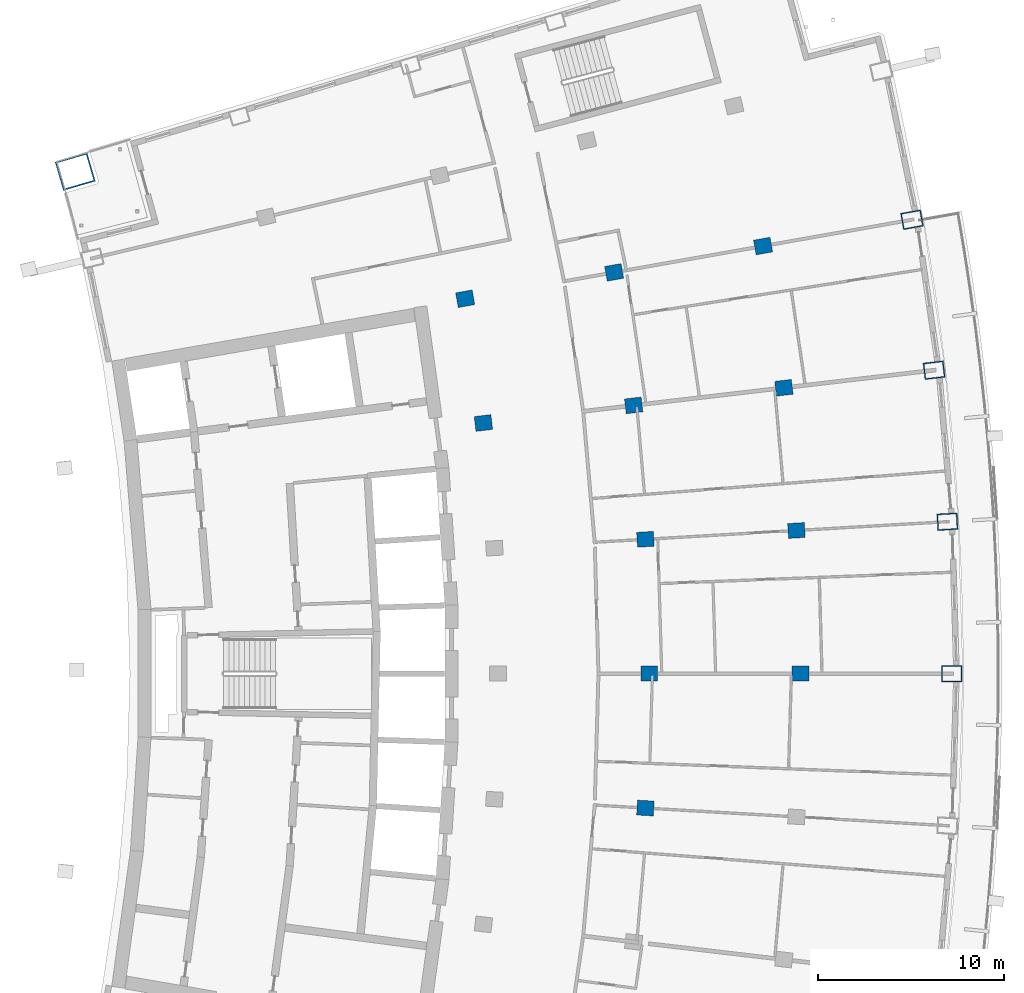
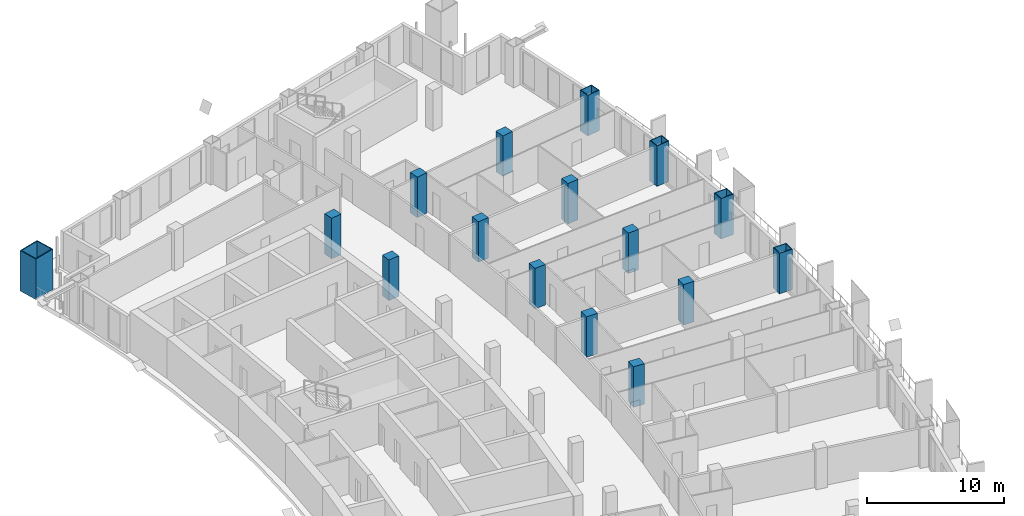
# One storey, part 6 of 21: 16 columns.
"""IFC4 building model written with IfcOpenShell, lengths in metres."""

from ifc_helpers import new_model, si_unit, direction, frame, origin, origin_2d, place, context, subcontext, project, spatial, rectangle, hollow_rectangle, extrude, material, material_profile, profile_set, type_object, element, save


model = new_model("IFC4")

# Units and contexts
model_context = context("Model", 3, precision=1e-05, world=origin(), true_north=direction((0.0, 1.0)))
body_context = subcontext(model_context, "Body", "Model", "MODEL_VIEW")
ifc_project = project(units=[si_unit("LENGTHUNIT", "METRE"), si_unit("AREAUNIT", "SQUARE_METRE"), si_unit("VOLUMEUNIT", "CUBIC_METRE"), si_unit("PLANEANGLEUNIT", "RADIAN"), si_unit("MASSUNIT", "GRAM", prefix="KILO")], contexts=[model_context])

# Site, building, storey
site_placement = place(None, origin())
site = spatial("IfcSite", under=ifc_project, at=site_placement, CompositionType="ELEMENT")
building_placement = place(site_placement, origin())
building = spatial("IfcBuilding", under=site, at=building_placement, Name="Alderwake Tower", CompositionType="ELEMENT")
storey_placement = place(building_placement, frame((0.0, 0.0, 146.0)))
storey = spatial("IfcBuildingStorey", under=building, at=storey_placement, Name="L35", CompositionType="ELEMENT", Elevation=146.0)

# Columns
ifc_material_1 = material(Name="Concrete C70/85", Category="concrete")
ifc_material_profile_1 = material_profile(ifc_material_1, rectangle(XDim=0.800048828125, YDim=0.89990234375, at=origin_2d()), Name="RC 900X800")
ifc_profile_set_1 = profile_set([ifc_material_profile_1], Name="Concrete C70/85")
column_type_1 = type_object("IfcColumnType", Name="Interior column Z3", PredefinedType="COLUMN", material=ifc_profile_set_1)
for number, where, z_axis, x_axis, name in (
    (1, (43.722412109375, 53.774658203125, 0.0), (0.0, 0.0, 1.0), (0.058299318924, 0.998299148258, 0.0), "Column R06-C3"),
    (2, (43.933349609375, 61.0, 0.0), (0.0, 0.0, 1.0), (0.0, 1.0, 0.0), "Column R07-C3"),
    (3, (52.066650390625, 61.0, 0.0), (0.0, 0.0, 1.0), (0.0, 1.0, 0.0), "Column R07-C4"),
    (4, (43.722412109375, 68.225341796875, 0.0), (0.0, 0.0, 1.0), (-0.058299318924, 0.998299148258, 0.0), "Column R08-C3"),
    (5, (51.842041015625, 68.699462890625, 0.0), (0.0, 0.0, 1.0), (-0.058299318924, 0.998299148258, 0.0), "Column R08-C4"),
    (6, (35.0126953125, 74.4794921875, 0.0), (0.0, 0.0, 1.0), (-0.116402054316, 0.993202175668, 0.0), "Column R09-C2"),
    (7, (43.0908203125, 75.426025390625, 0.0), (0.0, 0.0, 1.0), (-0.116402054316, 0.993202175668, 0.0), "Column R09-C3"),
    (8, (51.1689453125, 76.372802734375, 0.0), (0.0, 0.0, 1.0), (-0.116402054316, 0.993202175668, 0.0), "Column R09-C4"),
    (9, (34.03125, 81.16162109375, 0.0), (0.0, 0.0, 1.0), (-0.174108800747, 0.984726421654, 0.0), "Column R10-C2"),
    (10, (42.040283203125, 82.577880859375, 0.0), (0.0, 0.0, 1.0), (-0.174108800747, 0.984726421654, 0.0), "Column R10-C3"),
    (11, (50.049560546875, 83.993896484375, 0.0), (0.0, 0.0, 1.0), (-0.174108800747, 0.984726421654, 0.0), "Column R10-C4"),
):
    element("IfcColumn", number, at=place(storey_placement, frame(where, z_axis=z_axis, x_axis=x_axis)), inside=storey, type_object=column_type_1, Name=name, PredefinedType="COLUMN", context=body_context, shape_type="SweptSolid", body=[
        extrude(rectangle(XDim=0.800048828125, YDim=0.89990234375, at=origin_2d()), origin(), (0.0, 0.0, 1.0), 3.60009765625),
    ])
ifc_material_2 = material(Name="Steel ASTM A572 Grade 50 concrete filled C70/85", Category="concrete")
ifc_material_profile_2 = material_profile(ifc_material_2, hollow_rectangle(XDim=1.60009765625, YDim=1.800048828125, WallThickness=0.080078125, at=origin_2d()), Name="BOX 1800X1600X80")
ifc_profile_set_2 = profile_set([ifc_material_profile_2], Name="Steel ASTM A572 Grade 50 concrete filled C70/85")
column_type_2 = type_object("IfcColumnType", Name="Mega column Z3", PredefinedType="COLUMN", material=ifc_profile_set_2)
column_placement = place(storey_placement, frame((13.06298828125, 87.99755859375, 0.0), z_axis=(0.0, 0.0, 1.0), x_axis=(-0.278612301868, 0.960403657452, 0.0)))
element("IfcColumn", 12, at=column_placement, inside=storey, type_object=column_type_2, Name="Column R12-C0", PredefinedType="COLUMN", context=body_context, shape_type="SweptSolid", body=[
    extrude(hollow_rectangle(XDim=1.60009765625, YDim=1.800048828125, WallThickness=0.080078125, at=origin_2d()), origin(), (0.0, 0.0, 1.0), 3.60009765625),
])
ifc_material_3 = material(Name="Steel ASTM A572 Grade 50 concrete filled C70/85", Category="concrete")
ifc_material_profile_3 = material_profile(ifc_material_3, hollow_rectangle(XDim=0.89990234375, YDim=1.10009765625, WallThickness=0.06005859375, at=origin_2d()), Name="BOX 1100X900X60")
ifc_profile_set_3 = profile_set([ifc_material_profile_3], Name="Steel ASTM A572 Grade 50 concrete filled C70/85")
column_type_3 = type_object("IfcColumnType", Name="Perimeter column Z3", PredefinedType="COLUMN", material=ifc_profile_set_3)
for number, where, z_axis, x_axis, name in (
    (13, (60.199951171875, 61.0, 0.0), (0.0, 0.0, 1.0), (0.0, 1.0, 0.0), "Column R07-C5"),
    (14, (59.96142578125, 69.173583984375, 0.0), (0.0, 0.0, 1.0), (-0.058301061284, 0.998299046505, 0.0), "Column R08-C5"),
    (15, (59.246826171875, 77.319580078125, 0.0), (0.0, 0.0, 1.0), (-0.116402054316, 0.993202175668, 0.0), "Column R09-C5"),
    (16, (58.05859375, 85.409912109375, 0.0), (0.0, 0.0, 1.0), (-0.174108800747, 0.984726421654, 0.0), "Column R10-C5"),
):
    element("IfcColumn", number, at=place(storey_placement, frame(where, z_axis=z_axis, x_axis=x_axis)), inside=storey, type_object=column_type_3, Name=name, PredefinedType="COLUMN", context=body_context, shape_type="SweptSolid", body=[
        extrude(hollow_rectangle(XDim=0.89990234375, YDim=1.10009765625, WallThickness=0.06005859375, at=origin_2d()), origin(), (0.0, 0.0, 1.0), 3.60009765625),
    ])

save(model, "model.ifc")
